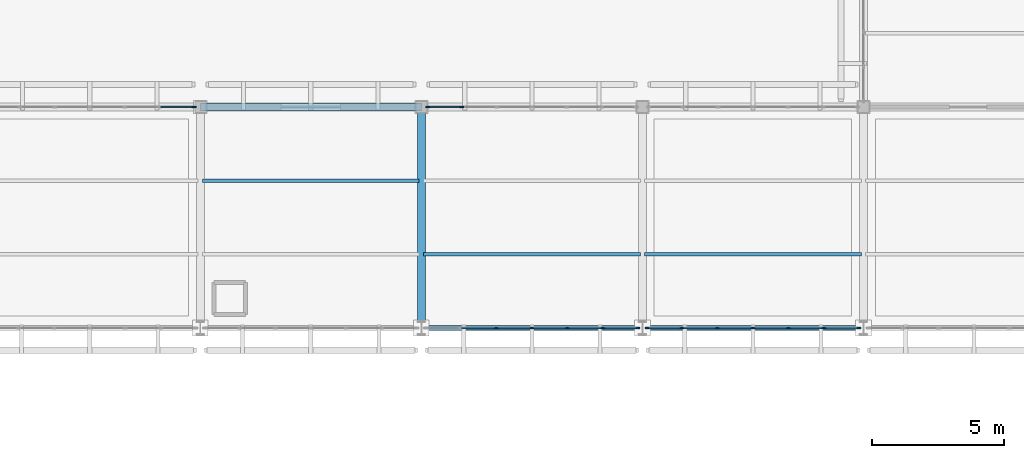
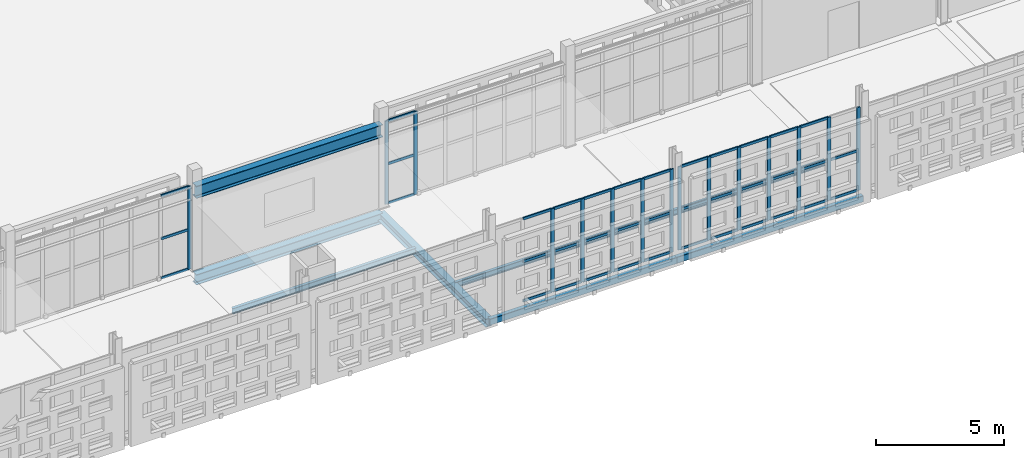
# One storey, part 56 of 203: 53 members, 8 beams, 4 elements without a shape of their own.
"""IFC4 building model written with IfcOpenShell, lengths in metres."""

from ifc_helpers import new_model, si_unit, direction, frame, origin, origin_2d, place, context, subcontext, project, spatial, rectangle, hollow_rectangle, i_section, extrude, material, layer, layer_set, material_profile, profile_set, type_object, element, aggregate, save


model = new_model("IFC4")

# Units and contexts
model_context = context("Model", 3, precision=1e-05, world=origin(), true_north=direction((0.0, 1.0)))
body_context = subcontext(model_context, "Body", "Model", "MODEL_VIEW")
ifc_project = project(units=[si_unit("LENGTHUNIT", "METRE"), si_unit("AREAUNIT", "SQUARE_METRE"), si_unit("VOLUMEUNIT", "CUBIC_METRE"), si_unit("PLANEANGLEUNIT", "RADIAN"), si_unit("MASSUNIT", "GRAM", prefix="KILO")], contexts=[model_context])

# Site, building, storey
site_placement = place(None, origin())
site = spatial("IfcSite", under=ifc_project, at=site_placement, CompositionType="ELEMENT")
building_placement = place(site_placement, origin())
building = spatial("IfcBuilding", under=site, at=building_placement, Name="Varnapada Polytechnic", CompositionType="ELEMENT")
storey_placement = place(building_placement, frame((0.0, 0.0, 4.800048828125)))
storey = spatial("IfcBuildingStorey", under=building, at=storey_placement, Name="L01", CompositionType="ELEMENT", Elevation=4.800048828125)

# Beams
ifc_material_1 = material(Name="Steel S355", Category="steel")
ifc_material_profile_1 = material_profile(ifc_material_1, i_section(OverallWidth=0.135009765625, OverallDepth=0.27001953125, WebThickness=0.006591796875, FlangeThickness=0.01025390625, FilletRadius=0.014892578125, at=origin_2d()), Name="IPE 270")
ifc_profile_set_1 = profile_set([ifc_material_profile_1], Name="Steel S355")
beam_type_1 = type_object("IfcBeamType", Name="Mezzanine heavy steel joist SJ-03 (IPE 270)", PredefinedType="JOIST", material=ifc_profile_set_1)
beam_1_placement = place(storey_placement, frame((100.8798828125, 89.60009765625, -0.39501953125), z_axis=(1.0, 0.0, 0.0), x_axis=(0.0, 1.0, 0.0)))
element("IfcBeam", 1, at=beam_1_placement, inside=storey, type_object=beam_type_1, Name="L01 floor joist 13/11.2", PredefinedType="JOIST", context=body_context, shape_type="SweptSolid", body=[
    extrude(i_section(OverallWidth=0.135009765625, OverallDepth=0.27001953125, WebThickness=0.006591796875, FlangeThickness=0.01025390625, FilletRadius=0.014892578125, at=origin_2d()), origin(), (0.0, 0.0, 1.0), 8.240234375),
])
for number, where, z_axis, x_axis, name in (
    (2, (109.280029296875, 86.800048828125, -0.39501953125), (1.0, 0.0, 0.0), (0.0, 1.0, 0.0), "L01 floor joist 14/11.1"),
    (3, (117.679931640625, 86.800048828125, -0.39501953125), (1.0, 0.0, 0.0), (0.0, 1.0, 0.0), "L01 floor joist 15/11.1"),
):
    element("IfcBeam", number, at=place(storey_placement, frame(where, z_axis=z_axis, x_axis=x_axis)), inside=storey, type_object=beam_type_1, Name=name, PredefinedType="JOIST", context=body_context, shape_type="SweptSolid", body=[
        extrude(i_section(OverallWidth=0.135009765625, OverallDepth=0.27001953125, WebThickness=0.006591796875, FlangeThickness=0.01025390625, FilletRadius=0.014892578125, at=origin_2d()), origin(), (0.0, 0.0, 1.0), 8.239990234375),
    ])

# Curtain wall, member
ifc_material_2 = material(Name="Double low-E laminated glass", Category="glass")
ifc_layer_1 = layer(ifc_material_2, 0.159912109375)
ifc_layer_set_1 = layer_set([ifc_layer_1], Name="Double low-E laminated glass")
curtain_wall_type_1 = type_object("IfcCurtainWallType", Name="Curtain Wall CW-02", PredefinedType="NOTDEFINED", material=ifc_layer_set_1)
curtain_wall_1_placement = place(storey_placement, origin())
curtain_wall_1 = element("IfcCurtainWall", 4, at=curtain_wall_1_placement, inside=storey, type_object=curtain_wall_type_1, Name="L01 unitised curtain wall CW-02 (77)", PredefinedType="NOTDEFINED")
ifc_material_3 = material(Name="Anodised aluminium", Category="aluminium")
ifc_material_profile_2 = material_profile(ifc_material_3, rectangle(XDim=0.06005859375, YDim=0.159912109375, at=origin_2d()), Name="ALU M60x160")
ifc_profile_set_2 = profile_set([ifc_material_profile_2], Name="Anodised aluminium")
member_type_1 = type_object("IfcMemberType", Name="Mullion M-01", PredefinedType="MULLION", material=ifc_profile_set_2)
member_1_placement = place(storey_placement, frame((100.56005859375, 92.39990234375, 0.0), z_axis=(0.0, 0.0, 1.0), x_axis=(0.0, 1.0, 0.0)))
member_1 = element("IfcMember", 5, at=member_1_placement, type_object=member_type_1, Name="CW-02 mullion 7", PredefinedType="MULLION", context=body_context, shape_type="SweptSolid", body=[
    extrude(rectangle(XDim=0.06005859375, YDim=0.159912109375, at=origin_2d()), origin(), (0.0, 0.0, 1.0), 3.9599609375),
])

# Curtain wall, members
ifc_layer_2 = layer(ifc_material_2, 0.159912109375)
ifc_layer_set_2 = layer_set([ifc_layer_2], Name="Double low-E laminated glass")
curtain_wall_type_2 = type_object("IfcCurtainWallType", Name="Curtain Wall CW-01", PredefinedType="NOTDEFINED", material=ifc_layer_set_2)
curtain_wall_2_placement = place(storey_placement, origin())
curtain_wall_2 = element("IfcCurtainWall", 6, at=curtain_wall_2_placement, inside=storey, type_object=curtain_wall_type_2, Name="L01 unitised curtain wall CW-01 (85)", PredefinedType="NOTDEFINED")
member_2_placement = place(storey_placement, frame((117.419921875, 84.0, 0.0), z_axis=(0.0, 0.0, 1.0), x_axis=(0.0, -1.0, 0.0)))
member_2 = element("IfcMember", 7, at=member_2_placement, type_object=member_type_1, Name="CW-01 mullion 1", PredefinedType="MULLION", context=body_context, shape_type="SweptSolid", body=[
    extrude(rectangle(XDim=0.06005859375, YDim=0.159912109375, at=origin_2d()), origin(), (0.0, 0.0, 1.0), 3.9599609375),
])
member_3_placement = place(storey_placement, frame((116.10009765625, 84.0, 0.0), z_axis=(0.0, 0.0, 1.0), x_axis=(0.0, -1.0, 0.0)))
member_3 = element("IfcMember", 8, at=member_3_placement, type_object=member_type_1, Name="CW-01 mullion 2", PredefinedType="MULLION", context=body_context, shape_type="SweptSolid", body=[
    extrude(rectangle(XDim=0.06005859375, YDim=0.159912109375, at=origin_2d()), origin(), (0.0, 0.0, 1.0), 3.9599609375),
])
member_4_placement = place(storey_placement, frame((114.75, 84.0, 0.0), z_axis=(0.0, 0.0, 1.0), x_axis=(0.0, -1.0, 0.0)))
member_4 = element("IfcMember", 9, at=member_4_placement, type_object=member_type_1, Name="CW-01 mullion 3", PredefinedType="MULLION", context=body_context, shape_type="SweptSolid", body=[
    extrude(rectangle(XDim=0.06005859375, YDim=0.159912109375, at=origin_2d()), origin(), (0.0, 0.0, 1.0), 3.9599609375),
])
member_5_placement = place(storey_placement, frame((113.39990234375, 84.0, 0.0), z_axis=(0.0, 0.0, 1.0), x_axis=(0.0, -1.0, 0.0)))
member_5 = element("IfcMember", 10, at=member_5_placement, type_object=member_type_1, Name="CW-01 mullion 4", PredefinedType="MULLION", context=body_context, shape_type="SweptSolid", body=[
    extrude(rectangle(XDim=0.06005859375, YDim=0.159912109375, at=origin_2d()), origin(), (0.0, 0.0, 1.0), 3.9599609375),
])
member_6_placement = place(storey_placement, frame((112.050048828125, 84.0, 0.0), z_axis=(0.0, 0.0, 1.0), x_axis=(0.0, -1.0, 0.0)))
member_6 = element("IfcMember", 11, at=member_6_placement, type_object=member_type_1, Name="CW-01 mullion 5", PredefinedType="MULLION", context=body_context, shape_type="SweptSolid", body=[
    extrude(rectangle(XDim=0.06005859375, YDim=0.159912109375, at=origin_2d()), origin(), (0.0, 0.0, 1.0), 3.9599609375),
])

curtain_wall_3_placement = place(storey_placement, origin())
curtain_wall_3 = element("IfcCurtainWall", 12, at=curtain_wall_3_placement, inside=storey, type_object=curtain_wall_type_1, Name="L01 unitised curtain wall CW-02 (86)", PredefinedType="NOTDEFINED")
member_7_placement = place(storey_placement, frame((109.43994140625, 92.39990234375, 0.0), z_axis=(0.0, 0.0, 1.0), x_axis=(0.0, 1.0, 0.0)))
member_7 = element("IfcMember", 13, at=member_7_placement, type_object=member_type_1, Name="CW-02 mullion 1", PredefinedType="MULLION", context=body_context, shape_type="SweptSolid", body=[
    extrude(rectangle(XDim=0.06005859375, YDim=0.159912109375, at=origin_2d()), origin(), (0.0, 0.0, 1.0), 3.9599609375),
])
member_8_placement = place(storey_placement, frame((110.739990234375, 92.39990234375, 0.0), z_axis=(0.0, 0.0, 1.0), x_axis=(0.0, 1.0, 0.0)))
member_8 = element("IfcMember", 14, at=member_8_placement, type_object=member_type_1, Name="CW-02 mullion 2", PredefinedType="MULLION", context=body_context, shape_type="SweptSolid", body=[
    extrude(rectangle(XDim=0.06005859375, YDim=0.159912109375, at=origin_2d()), origin(), (0.0, 0.0, 1.0), 3.9599609375),
])

curtain_wall_4_placement = place(storey_placement, origin())
curtain_wall_4 = element("IfcCurtainWall", 15, at=curtain_wall_4_placement, inside=storey, type_object=curtain_wall_type_2, Name="L01 unitised curtain wall CW-01 (90)", PredefinedType="NOTDEFINED")
member_9_placement = place(storey_placement, frame((125.820068359375, 84.0, 0.0), z_axis=(0.0, 0.0, 1.0), x_axis=(0.0, -1.0, 0.0)))
member_9 = element("IfcMember", 16, at=member_9_placement, type_object=member_type_1, Name="CW-01 mullion 1", PredefinedType="MULLION", context=body_context, shape_type="SweptSolid", body=[
    extrude(rectangle(XDim=0.06005859375, YDim=0.159912109375, at=origin_2d()), origin(), (0.0, 0.0, 1.0), 3.9599609375),
])
member_10_placement = place(storey_placement, frame((124.5, 84.0, 0.0), z_axis=(0.0, 0.0, 1.0), x_axis=(0.0, -1.0, 0.0)))
member_10 = element("IfcMember", 17, at=member_10_placement, type_object=member_type_1, Name="CW-01 mullion 2", PredefinedType="MULLION", context=body_context, shape_type="SweptSolid", body=[
    extrude(rectangle(XDim=0.06005859375, YDim=0.159912109375, at=origin_2d()), origin(), (0.0, 0.0, 1.0), 3.9599609375),
])
member_11_placement = place(storey_placement, frame((123.14990234375, 84.0, 0.0), z_axis=(0.0, 0.0, 1.0), x_axis=(0.0, -1.0, 0.0)))
member_11 = element("IfcMember", 18, at=member_11_placement, type_object=member_type_1, Name="CW-01 mullion 3", PredefinedType="MULLION", context=body_context, shape_type="SweptSolid", body=[
    extrude(rectangle(XDim=0.06005859375, YDim=0.159912109375, at=origin_2d()), origin(), (0.0, 0.0, 1.0), 3.9599609375),
])
member_12_placement = place(storey_placement, frame((121.800048828125, 84.0, 0.0), z_axis=(0.0, 0.0, 1.0), x_axis=(0.0, -1.0, 0.0)))
member_12 = element("IfcMember", 19, at=member_12_placement, type_object=member_type_1, Name="CW-01 mullion 4", PredefinedType="MULLION", context=body_context, shape_type="SweptSolid", body=[
    extrude(rectangle(XDim=0.06005859375, YDim=0.159912109375, at=origin_2d()), origin(), (0.0, 0.0, 1.0), 3.9599609375),
])
member_13_placement = place(storey_placement, frame((120.449951171875, 84.0, 0.0), z_axis=(0.0, 0.0, 1.0), x_axis=(0.0, -1.0, 0.0)))
member_13 = element("IfcMember", 20, at=member_13_placement, type_object=member_type_1, Name="CW-01 mullion 5", PredefinedType="MULLION", context=body_context, shape_type="SweptSolid", body=[
    extrude(rectangle(XDim=0.06005859375, YDim=0.159912109375, at=origin_2d()), origin(), (0.0, 0.0, 1.0), 3.9599609375),
])
member_14_placement = place(storey_placement, frame((119.10009765625, 84.0, 0.0), z_axis=(0.0, 0.0, 1.0), x_axis=(0.0, -1.0, 0.0)))
member_14 = element("IfcMember", 21, at=member_14_placement, type_object=member_type_1, Name="CW-01 mullion 6", PredefinedType="MULLION", context=body_context, shape_type="SweptSolid", body=[
    extrude(rectangle(XDim=0.06005859375, YDim=0.159912109375, at=origin_2d()), origin(), (0.0, 0.0, 1.0), 3.9599609375),
])
member_15_placement = place(storey_placement, frame((117.780029296875, 84.0, 0.0), z_axis=(0.0, 0.0, 1.0), x_axis=(0.0, -1.0, 0.0)))
member_15 = element("IfcMember", 22, at=member_15_placement, type_object=member_type_1, Name="CW-01 mullion 7", PredefinedType="MULLION", context=body_context, shape_type="SweptSolid", body=[
    extrude(rectangle(XDim=0.06005859375, YDim=0.159912109375, at=origin_2d()), origin(), (0.0, 0.0, 1.0), 3.9599609375),
])

# Beam
ifc_material_profile_3 = material_profile(ifc_material_1, i_section(OverallWidth=0.300048828125, OverallDepth=0.389892578125, WebThickness=0.010986328125, FlangeThickness=0.01904296875, FilletRadius=0.027099609375, at=origin_2d()), Name="HEA 400")
ifc_profile_set_3 = profile_set([ifc_material_profile_3], Name="Steel S355")
beam_type_2 = type_object("IfcBeamType", Name="Steel roof primary girder SG-01 (HEA 400)", PredefinedType="BEAM", material=ifc_profile_set_3)
beam_2_placement = place(storey_placement, frame((109.199951171875, 84.0, -0.465087890625), z_axis=(0.0, 1.0, 0.0), x_axis=(-1.0, 0.0, 0.0)))
element("IfcBeam", 23, at=beam_2_placement, inside=storey, type_object=beam_type_2, Name="L01 beam Y 11-12 at X14", PredefinedType="BEAM", context=body_context, shape_type="SweptSolid", body=[
    extrude(i_section(OverallWidth=0.300048828125, OverallDepth=0.389892578125, WebThickness=0.010986328125, FlangeThickness=0.01904296875, FilletRadius=0.027099609375, at=origin_2d()), origin(), (0.0, 0.0, 1.0), 8.39990234375),
])

# Member
ifc_material_profile_4 = material_profile(ifc_material_3, rectangle(XDim=0.06005859375, YDim=0.1201171875, at=origin_2d()), Name="ALU T60x120")
ifc_profile_set_4 = profile_set([ifc_material_profile_4], Name="Anodised aluminium")
member_type_2 = type_object("IfcMemberType", Name="Transom T-01", PredefinedType="USERDEFINED", material=ifc_profile_set_4)
member_16_placement = place(storey_placement, frame((99.2900390625, 92.39990234375, 0.030029296875), z_axis=(1.0, 0.0, 0.0), x_axis=(0.0, 1.0, 0.0)))
member_16 = element("IfcMember", 24, at=member_16_placement, type_object=member_type_2, Name="CW-02 transom 6.1", ObjectType="TRANSOM", PredefinedType="USERDEFINED", context=body_context, shape_type="SweptSolid", body=[
    extrude(rectangle(XDim=0.06005859375, YDim=0.1201171875, at=origin_2d()), origin(), (0.0, 0.0, 1.0), 1.239990234375),
])

member_17_placement = place(storey_placement, frame((99.2900390625, 92.39990234375, 1.900634765625), z_axis=(1.0, 0.0, 0.0), x_axis=(0.0, 1.0, 0.0)))
member_17 = element("IfcMember", 25, at=member_17_placement, type_object=member_type_2, Name="CW-02 transom 6.2", ObjectType="TRANSOM", PredefinedType="USERDEFINED", context=body_context, shape_type="SweptSolid", body=[
    extrude(rectangle(XDim=0.06005859375, YDim=0.1201171875, at=origin_2d()), origin(), (0.0, 0.0, 1.0), 1.239990234375),
])

member_18_placement = place(storey_placement, frame((99.2900390625, 92.39990234375, 3.929931640625), z_axis=(1.0, 0.0, 0.0), x_axis=(0.0, 1.0, 0.0)))
member_18 = element("IfcMember", 26, at=member_18_placement, type_object=member_type_2, Name="CW-02 transom 6.3", ObjectType="TRANSOM", PredefinedType="USERDEFINED", context=body_context, shape_type="SweptSolid", body=[
    extrude(rectangle(XDim=0.06005859375, YDim=0.1201171875, at=origin_2d()), origin(), (0.0, 0.0, 1.0), 1.239990234375),
])

aggregate(curtain_wall_1, [member_1, member_16, member_17, member_18])

member_19_placement = place(storey_placement, frame((117.389892578125, 84.0, 0.030029296875), z_axis=(-1.0, 0.0, 0.0), x_axis=(0.0, -1.0, 0.0)))
member_19 = element("IfcMember", 27, at=member_19_placement, type_object=member_type_2, Name="CW-01 transom 1.1", ObjectType="TRANSOM", PredefinedType="USERDEFINED", context=body_context, shape_type="SweptSolid", body=[
    extrude(rectangle(XDim=0.06005859375, YDim=0.1201171875, at=origin_2d()), origin(), (0.0, 0.0, 1.0), 1.260009765625),
])

member_20_placement = place(storey_placement, frame((117.389892578125, 84.0, 1.900634765625), z_axis=(-1.0, 0.0, 0.0), x_axis=(0.0, -1.0, 0.0)))
member_20 = element("IfcMember", 28, at=member_20_placement, type_object=member_type_2, Name="CW-01 transom 1.2", ObjectType="TRANSOM", PredefinedType="USERDEFINED", context=body_context, shape_type="SweptSolid", body=[
    extrude(rectangle(XDim=0.06005859375, YDim=0.1201171875, at=origin_2d()), origin(), (0.0, 0.0, 1.0), 1.260009765625),
])

member_21_placement = place(storey_placement, frame((117.389892578125, 84.0, 3.929931640625), z_axis=(-1.0, 0.0, 0.0), x_axis=(0.0, -1.0, 0.0)))
member_21 = element("IfcMember", 29, at=member_21_placement, type_object=member_type_2, Name="CW-01 transom 1.3", ObjectType="TRANSOM", PredefinedType="USERDEFINED", context=body_context, shape_type="SweptSolid", body=[
    extrude(rectangle(XDim=0.06005859375, YDim=0.1201171875, at=origin_2d()), origin(), (0.0, 0.0, 1.0), 1.260009765625),
])

member_22_placement = place(storey_placement, frame((116.070068359375, 84.0, 0.030029296875), z_axis=(-1.0, 0.0, 0.0), x_axis=(0.0, -1.0, 0.0)))
member_22 = element("IfcMember", 30, at=member_22_placement, type_object=member_type_2, Name="CW-01 transom 2.1", ObjectType="TRANSOM", PredefinedType="USERDEFINED", context=body_context, shape_type="SweptSolid", body=[
    extrude(rectangle(XDim=0.06005859375, YDim=0.1201171875, at=origin_2d()), origin(), (0.0, 0.0, 1.0), 1.2900390625),
])

member_23_placement = place(storey_placement, frame((116.070068359375, 84.0, 1.900634765625), z_axis=(-1.0, 0.0, 0.0), x_axis=(0.0, -1.0, 0.0)))
member_23 = element("IfcMember", 31, at=member_23_placement, type_object=member_type_2, Name="CW-01 transom 2.2", ObjectType="TRANSOM", PredefinedType="USERDEFINED", context=body_context, shape_type="SweptSolid", body=[
    extrude(rectangle(XDim=0.06005859375, YDim=0.1201171875, at=origin_2d()), origin(), (0.0, 0.0, 1.0), 1.2900390625),
])

member_24_placement = place(storey_placement, frame((116.070068359375, 84.0, 3.929931640625), z_axis=(-1.0, 0.0, 0.0), x_axis=(0.0, -1.0, 0.0)))
member_24 = element("IfcMember", 32, at=member_24_placement, type_object=member_type_2, Name="CW-01 transom 2.3", ObjectType="TRANSOM", PredefinedType="USERDEFINED", context=body_context, shape_type="SweptSolid", body=[
    extrude(rectangle(XDim=0.06005859375, YDim=0.1201171875, at=origin_2d()), origin(), (0.0, 0.0, 1.0), 1.2900390625),
])

member_25_placement = place(storey_placement, frame((114.719970703125, 84.0, 0.030029296875), z_axis=(-1.0, 0.0, 0.0), x_axis=(0.0, -1.0, 0.0)))
member_25 = element("IfcMember", 33, at=member_25_placement, type_object=member_type_2, Name="CW-01 transom 3.1", ObjectType="TRANSOM", PredefinedType="USERDEFINED", context=body_context, shape_type="SweptSolid", body=[
    extrude(rectangle(XDim=0.06005859375, YDim=0.1201171875, at=origin_2d()), origin(), (0.0, 0.0, 1.0), 1.2900390625),
])

member_26_placement = place(storey_placement, frame((114.719970703125, 84.0, 1.900634765625), z_axis=(-1.0, 0.0, 0.0), x_axis=(0.0, -1.0, 0.0)))
member_26 = element("IfcMember", 34, at=member_26_placement, type_object=member_type_2, Name="CW-01 transom 3.2", ObjectType="TRANSOM", PredefinedType="USERDEFINED", context=body_context, shape_type="SweptSolid", body=[
    extrude(rectangle(XDim=0.06005859375, YDim=0.1201171875, at=origin_2d()), origin(), (0.0, 0.0, 1.0), 1.2900390625),
])

member_27_placement = place(storey_placement, frame((114.719970703125, 84.0, 3.929931640625), z_axis=(-1.0, 0.0, 0.0), x_axis=(0.0, -1.0, 0.0)))
member_27 = element("IfcMember", 35, at=member_27_placement, type_object=member_type_2, Name="CW-01 transom 3.3", ObjectType="TRANSOM", PredefinedType="USERDEFINED", context=body_context, shape_type="SweptSolid", body=[
    extrude(rectangle(XDim=0.06005859375, YDim=0.1201171875, at=origin_2d()), origin(), (0.0, 0.0, 1.0), 1.2900390625),
])

member_28_placement = place(storey_placement, frame((113.3701171875, 84.0, 0.030029296875), z_axis=(-1.0, 0.0, 0.0), x_axis=(0.0, -1.0, 0.0)))
member_28 = element("IfcMember", 36, at=member_28_placement, type_object=member_type_2, Name="CW-01 transom 4.1", ObjectType="TRANSOM", PredefinedType="USERDEFINED", context=body_context, shape_type="SweptSolid", body=[
    extrude(rectangle(XDim=0.06005859375, YDim=0.1201171875, at=origin_2d()), origin(), (0.0, 0.0, 1.0), 1.2900390625),
])

member_29_placement = place(storey_placement, frame((113.3701171875, 84.0, 1.900634765625), z_axis=(-1.0, 0.0, 0.0), x_axis=(0.0, -1.0, 0.0)))
member_29 = element("IfcMember", 37, at=member_29_placement, type_object=member_type_2, Name="CW-01 transom 4.2", ObjectType="TRANSOM", PredefinedType="USERDEFINED", context=body_context, shape_type="SweptSolid", body=[
    extrude(rectangle(XDim=0.06005859375, YDim=0.1201171875, at=origin_2d()), origin(), (0.0, 0.0, 1.0), 1.2900390625),
])

member_30_placement = place(storey_placement, frame((113.3701171875, 84.0, 3.929931640625), z_axis=(-1.0, 0.0, 0.0), x_axis=(0.0, -1.0, 0.0)))
member_30 = element("IfcMember", 38, at=member_30_placement, type_object=member_type_2, Name="CW-01 transom 4.3", ObjectType="TRANSOM", PredefinedType="USERDEFINED", context=body_context, shape_type="SweptSolid", body=[
    extrude(rectangle(XDim=0.06005859375, YDim=0.1201171875, at=origin_2d()), origin(), (0.0, 0.0, 1.0), 1.2900390625),
])

member_31_placement = place(storey_placement, frame((112.02001953125, 84.0, 0.030029296875), z_axis=(-1.0, 0.0, 0.0), x_axis=(0.0, -1.0, 0.0)))
member_31 = element("IfcMember", 39, at=member_31_placement, type_object=member_type_2, Name="CW-01 transom 5.1", ObjectType="TRANSOM", PredefinedType="USERDEFINED", context=body_context, shape_type="SweptSolid", body=[
    extrude(rectangle(XDim=0.06005859375, YDim=0.1201171875, at=origin_2d()), origin(), (0.0, 0.0, 1.0), 1.2900390625),
])

member_32_placement = place(storey_placement, frame((112.02001953125, 84.0, 1.900634765625), z_axis=(-1.0, 0.0, 0.0), x_axis=(0.0, -1.0, 0.0)))
member_32 = element("IfcMember", 40, at=member_32_placement, type_object=member_type_2, Name="CW-01 transom 5.2", ObjectType="TRANSOM", PredefinedType="USERDEFINED", context=body_context, shape_type="SweptSolid", body=[
    extrude(rectangle(XDim=0.06005859375, YDim=0.1201171875, at=origin_2d()), origin(), (0.0, 0.0, 1.0), 1.2900390625),
])

member_33_placement = place(storey_placement, frame((112.02001953125, 84.0, 3.929931640625), z_axis=(-1.0, 0.0, 0.0), x_axis=(0.0, -1.0, 0.0)))
member_33 = element("IfcMember", 41, at=member_33_placement, type_object=member_type_2, Name="CW-01 transom 5.3", ObjectType="TRANSOM", PredefinedType="USERDEFINED", context=body_context, shape_type="SweptSolid", body=[
    extrude(rectangle(XDim=0.06005859375, YDim=0.1201171875, at=origin_2d()), origin(), (0.0, 0.0, 1.0), 1.2900390625),
])

aggregate(curtain_wall_2, [member_2, member_3, member_4, member_5, member_6, member_19, member_20, member_21, member_22, member_23, member_24, member_25, member_26, member_27, member_28, member_29, member_30, member_31, member_32, member_33])

member_34_placement = place(storey_placement, frame((109.469970703125, 92.39990234375, 0.030029296875), z_axis=(1.0, 0.0, 0.0), x_axis=(0.0, 1.0, 0.0)))
member_34 = element("IfcMember", 42, at=member_34_placement, type_object=member_type_2, Name="CW-02 transom 1.1", ObjectType="TRANSOM", PredefinedType="USERDEFINED", context=body_context, shape_type="SweptSolid", body=[
    extrude(rectangle(XDim=0.06005859375, YDim=0.1201171875, at=origin_2d()), origin(), (0.0, 0.0, 1.0), 1.239990234375),
])

member_35_placement = place(storey_placement, frame((109.469970703125, 92.39990234375, 1.900634765625), z_axis=(1.0, 0.0, 0.0), x_axis=(0.0, 1.0, 0.0)))
member_35 = element("IfcMember", 43, at=member_35_placement, type_object=member_type_2, Name="CW-02 transom 1.2", ObjectType="TRANSOM", PredefinedType="USERDEFINED", context=body_context, shape_type="SweptSolid", body=[
    extrude(rectangle(XDim=0.06005859375, YDim=0.1201171875, at=origin_2d()), origin(), (0.0, 0.0, 1.0), 1.239990234375),
])

member_36_placement = place(storey_placement, frame((109.469970703125, 92.39990234375, 3.929931640625), z_axis=(1.0, 0.0, 0.0), x_axis=(0.0, 1.0, 0.0)))
member_36 = element("IfcMember", 44, at=member_36_placement, type_object=member_type_2, Name="CW-02 transom 1.3", ObjectType="TRANSOM", PredefinedType="USERDEFINED", context=body_context, shape_type="SweptSolid", body=[
    extrude(rectangle(XDim=0.06005859375, YDim=0.1201171875, at=origin_2d()), origin(), (0.0, 0.0, 1.0), 1.239990234375),
])

aggregate(curtain_wall_3, [member_7, member_8, member_34, member_35, member_36])

member_37_placement = place(storey_placement, frame((125.7900390625, 84.0, 0.030029296875), z_axis=(-1.0, 0.0, 0.0), x_axis=(0.0, -1.0, 0.0)))
member_37 = element("IfcMember", 45, at=member_37_placement, type_object=member_type_2, Name="CW-01 transom 1.1", ObjectType="TRANSOM", PredefinedType="USERDEFINED", context=body_context, shape_type="SweptSolid", body=[
    extrude(rectangle(XDim=0.06005859375, YDim=0.1201171875, at=origin_2d()), origin(), (0.0, 0.0, 1.0), 1.260009765625),
])

member_38_placement = place(storey_placement, frame((125.7900390625, 84.0, 1.900634765625), z_axis=(-1.0, 0.0, 0.0), x_axis=(0.0, -1.0, 0.0)))
member_38 = element("IfcMember", 46, at=member_38_placement, type_object=member_type_2, Name="CW-01 transom 1.2", ObjectType="TRANSOM", PredefinedType="USERDEFINED", context=body_context, shape_type="SweptSolid", body=[
    extrude(rectangle(XDim=0.06005859375, YDim=0.1201171875, at=origin_2d()), origin(), (0.0, 0.0, 1.0), 1.260009765625),
])

member_39_placement = place(storey_placement, frame((124.469970703125, 84.0, 0.030029296875), z_axis=(-1.0, 0.0, 0.0), x_axis=(0.0, -1.0, 0.0)))
member_39 = element("IfcMember", 47, at=member_39_placement, type_object=member_type_2, Name="CW-01 transom 2.1", ObjectType="TRANSOM", PredefinedType="USERDEFINED", context=body_context, shape_type="SweptSolid", body=[
    extrude(rectangle(XDim=0.06005859375, YDim=0.1201171875, at=origin_2d()), origin(), (0.0, 0.0, 1.0), 1.2900390625),
])

member_40_placement = place(storey_placement, frame((124.469970703125, 84.0, 1.900634765625), z_axis=(-1.0, 0.0, 0.0), x_axis=(0.0, -1.0, 0.0)))
member_40 = element("IfcMember", 48, at=member_40_placement, type_object=member_type_2, Name="CW-01 transom 2.2", ObjectType="TRANSOM", PredefinedType="USERDEFINED", context=body_context, shape_type="SweptSolid", body=[
    extrude(rectangle(XDim=0.06005859375, YDim=0.1201171875, at=origin_2d()), origin(), (0.0, 0.0, 1.0), 1.2900390625),
])

member_41_placement = place(storey_placement, frame((124.469970703125, 84.0, 3.929931640625), z_axis=(-1.0, 0.0, 0.0), x_axis=(0.0, -1.0, 0.0)))
member_41 = element("IfcMember", 49, at=member_41_placement, type_object=member_type_2, Name="CW-01 transom 2.3", ObjectType="TRANSOM", PredefinedType="USERDEFINED", context=body_context, shape_type="SweptSolid", body=[
    extrude(rectangle(XDim=0.06005859375, YDim=0.1201171875, at=origin_2d()), origin(), (0.0, 0.0, 1.0), 1.2900390625),
])

member_42_placement = place(storey_placement, frame((123.1201171875, 84.0, 0.030029296875), z_axis=(-1.0, 0.0, 0.0), x_axis=(0.0, -1.0, 0.0)))
member_42 = element("IfcMember", 50, at=member_42_placement, type_object=member_type_2, Name="CW-01 transom 3.1", ObjectType="TRANSOM", PredefinedType="USERDEFINED", context=body_context, shape_type="SweptSolid", body=[
    extrude(rectangle(XDim=0.06005859375, YDim=0.1201171875, at=origin_2d()), origin(), (0.0, 0.0, 1.0), 1.2900390625),
])

member_43_placement = place(storey_placement, frame((123.1201171875, 84.0, 1.900634765625), z_axis=(-1.0, 0.0, 0.0), x_axis=(0.0, -1.0, 0.0)))
member_43 = element("IfcMember", 51, at=member_43_placement, type_object=member_type_2, Name="CW-01 transom 3.2", ObjectType="TRANSOM", PredefinedType="USERDEFINED", context=body_context, shape_type="SweptSolid", body=[
    extrude(rectangle(XDim=0.06005859375, YDim=0.1201171875, at=origin_2d()), origin(), (0.0, 0.0, 1.0), 1.2900390625),
])

member_44_placement = place(storey_placement, frame((123.1201171875, 84.0, 3.929931640625), z_axis=(-1.0, 0.0, 0.0), x_axis=(0.0, -1.0, 0.0)))
member_44 = element("IfcMember", 52, at=member_44_placement, type_object=member_type_2, Name="CW-01 transom 3.3", ObjectType="TRANSOM", PredefinedType="USERDEFINED", context=body_context, shape_type="SweptSolid", body=[
    extrude(rectangle(XDim=0.06005859375, YDim=0.1201171875, at=origin_2d()), origin(), (0.0, 0.0, 1.0), 1.2900390625),
])

member_45_placement = place(storey_placement, frame((121.77001953125, 84.0, 0.030029296875), z_axis=(-1.0, 0.0, 0.0), x_axis=(0.0, -1.0, 0.0)))
member_45 = element("IfcMember", 53, at=member_45_placement, type_object=member_type_2, Name="CW-01 transom 4.1", ObjectType="TRANSOM", PredefinedType="USERDEFINED", context=body_context, shape_type="SweptSolid", body=[
    extrude(rectangle(XDim=0.06005859375, YDim=0.1201171875, at=origin_2d()), origin(), (0.0, 0.0, 1.0), 1.2900390625),
])

member_46_placement = place(storey_placement, frame((121.77001953125, 84.0, 1.900634765625), z_axis=(-1.0, 0.0, 0.0), x_axis=(0.0, -1.0, 0.0)))
member_46 = element("IfcMember", 54, at=member_46_placement, type_object=member_type_2, Name="CW-01 transom 4.2", ObjectType="TRANSOM", PredefinedType="USERDEFINED", context=body_context, shape_type="SweptSolid", body=[
    extrude(rectangle(XDim=0.06005859375, YDim=0.1201171875, at=origin_2d()), origin(), (0.0, 0.0, 1.0), 1.2900390625),
])

member_47_placement = place(storey_placement, frame((121.77001953125, 84.0, 3.929931640625), z_axis=(-1.0, 0.0, 0.0), x_axis=(0.0, -1.0, 0.0)))
member_47 = element("IfcMember", 55, at=member_47_placement, type_object=member_type_2, Name="CW-01 transom 4.3", ObjectType="TRANSOM", PredefinedType="USERDEFINED", context=body_context, shape_type="SweptSolid", body=[
    extrude(rectangle(XDim=0.06005859375, YDim=0.1201171875, at=origin_2d()), origin(), (0.0, 0.0, 1.0), 1.2900390625),
])

member_48_placement = place(storey_placement, frame((120.419921875, 84.0, 0.030029296875), z_axis=(-1.0, 0.0, 0.0), x_axis=(0.0, -1.0, 0.0)))
member_48 = element("IfcMember", 56, at=member_48_placement, type_object=member_type_2, Name="CW-01 transom 5.1", ObjectType="TRANSOM", PredefinedType="USERDEFINED", context=body_context, shape_type="SweptSolid", body=[
    extrude(rectangle(XDim=0.06005859375, YDim=0.1201171875, at=origin_2d()), origin(), (0.0, 0.0, 1.0), 1.2900390625),
])

member_49_placement = place(storey_placement, frame((120.419921875, 84.0, 1.900634765625), z_axis=(-1.0, 0.0, 0.0), x_axis=(0.0, -1.0, 0.0)))
member_49 = element("IfcMember", 57, at=member_49_placement, type_object=member_type_2, Name="CW-01 transom 5.2", ObjectType="TRANSOM", PredefinedType="USERDEFINED", context=body_context, shape_type="SweptSolid", body=[
    extrude(rectangle(XDim=0.06005859375, YDim=0.1201171875, at=origin_2d()), origin(), (0.0, 0.0, 1.0), 1.2900390625),
])

member_50_placement = place(storey_placement, frame((120.419921875, 84.0, 3.929931640625), z_axis=(-1.0, 0.0, 0.0), x_axis=(0.0, -1.0, 0.0)))
member_50 = element("IfcMember", 58, at=member_50_placement, type_object=member_type_2, Name="CW-01 transom 5.3", ObjectType="TRANSOM", PredefinedType="USERDEFINED", context=body_context, shape_type="SweptSolid", body=[
    extrude(rectangle(XDim=0.06005859375, YDim=0.1201171875, at=origin_2d()), origin(), (0.0, 0.0, 1.0), 1.2900390625),
])

member_51_placement = place(storey_placement, frame((119.070068359375, 84.0, 0.030029296875), z_axis=(-1.0, 0.0, 0.0), x_axis=(0.0, -1.0, 0.0)))
member_51 = element("IfcMember", 59, at=member_51_placement, type_object=member_type_2, Name="CW-01 transom 6.1", ObjectType="TRANSOM", PredefinedType="USERDEFINED", context=body_context, shape_type="SweptSolid", body=[
    extrude(rectangle(XDim=0.06005859375, YDim=0.1201171875, at=origin_2d()), origin(), (0.0, 0.0, 1.0), 1.260009765625),
])

member_52_placement = place(storey_placement, frame((119.070068359375, 84.0, 1.900634765625), z_axis=(-1.0, 0.0, 0.0), x_axis=(0.0, -1.0, 0.0)))
member_52 = element("IfcMember", 60, at=member_52_placement, type_object=member_type_2, Name="CW-01 transom 6.2", ObjectType="TRANSOM", PredefinedType="USERDEFINED", context=body_context, shape_type="SweptSolid", body=[
    extrude(rectangle(XDim=0.06005859375, YDim=0.1201171875, at=origin_2d()), origin(), (0.0, 0.0, 1.0), 1.260009765625),
])

member_53_placement = place(storey_placement, frame((119.070068359375, 84.0, 3.929931640625), z_axis=(-1.0, 0.0, 0.0), x_axis=(0.0, -1.0, 0.0)))
member_53 = element("IfcMember", 61, at=member_53_placement, type_object=member_type_2, Name="CW-01 transom 6.3", ObjectType="TRANSOM", PredefinedType="USERDEFINED", context=body_context, shape_type="SweptSolid", body=[
    extrude(rectangle(XDim=0.06005859375, YDim=0.1201171875, at=origin_2d()), origin(), (0.0, 0.0, 1.0), 1.260009765625),
])

aggregate(curtain_wall_4, [member_9, member_10, member_11, member_12, member_13, member_14, member_15, member_37, member_38, member_39, member_40, member_41, member_42, member_43, member_44, member_45, member_46, member_47, member_48, member_49, member_50, member_51, member_52, member_53])

# Beams
ifc_material_profile_5 = material_profile(ifc_material_1, i_section(OverallWidth=0.300048828125, OverallDepth=0.590087890625, WebThickness=0.012939453125, FlangeThickness=0.02490234375, FilletRadius=0.027099609375, at=origin_2d()), Name="HEA 600")
ifc_profile_set_5 = profile_set([ifc_material_profile_5], Name="Steel S355")
beam_type_3 = type_object("IfcBeamType", Name="Workshop bridge crane runway girder CR-01 (HEA 600)", PredefinedType="BEAM", material=ifc_profile_set_5)
beam_3_placement = place(storey_placement, frame((100.800048828125, 92.39990234375, 3.64501953125), z_axis=(1.0, 0.0, 0.0), x_axis=(0.0, 1.0, 0.0)))
element("IfcBeam", 62, at=beam_3_placement, inside=storey, type_object=beam_type_3, Name="Workshop bridge crane runway girder 13-14 line 12", PredefinedType="BEAM", context=body_context, shape_type="SweptSolid", body=[
    extrude(i_section(OverallWidth=0.300048828125, OverallDepth=0.590087890625, WebThickness=0.012939453125, FlangeThickness=0.02490234375, FilletRadius=0.027099609375, at=origin_2d()), origin(), (0.0, 0.0, 1.0), 8.39990234375),
])
ifc_material_profile_6 = material_profile(ifc_material_1, i_section(OverallWidth=0.300048828125, OverallDepth=0.489990234375, WebThickness=0.011962890625, FlangeThickness=0.02294921875, FilletRadius=0.027099609375, at=origin_2d()), Name="HEA 500")
ifc_profile_set_6 = profile_set([ifc_material_profile_6], Name="Steel S355")
beam_type_4 = type_object("IfcBeamType", Name="Workshop gallery edge girder CR-02 (HEA 500)", PredefinedType="BEAM", material=ifc_profile_set_6)
beam_4_placement = place(storey_placement, frame((100.800048828125, 92.39990234375, -0.51513671875), z_axis=(1.0, 0.0, 0.0), x_axis=(0.0, 1.0, 0.0)))
element("IfcBeam", 63, at=beam_4_placement, inside=storey, type_object=beam_type_4, Name="L01 beam X 13-14 at Y12", PredefinedType="BEAM", context=body_context, shape_type="SweptSolid", body=[
    extrude(i_section(OverallWidth=0.300048828125, OverallDepth=0.489990234375, WebThickness=0.011962890625, FlangeThickness=0.02294921875, FilletRadius=0.027099609375, at=origin_2d()), origin(), (0.0, 0.0, 1.0), 8.39990234375),
])
ifc_material_profile_7 = material_profile(ifc_material_1, hollow_rectangle(XDim=0.199951171875, YDim=0.300048828125, WallThickness=0.010009765625, InnerFilletRadius=0.010009765625, OuterFilletRadius=0.02001953125, at=origin_2d()), Name="RHS 300x200x10")
ifc_profile_set_7 = profile_set([ifc_material_profile_7], Name="Steel S355")
beam_type_5 = type_object("IfcBeamType", Name="Workshop steel spandrel tie SP-03 (RHS 300x200x10)", PredefinedType="SPANDREL", material=ifc_profile_set_7)
beam_5_placement = place(storey_placement, frame((109.199951171875, 84.0, -0.41015625), z_axis=(1.0, 0.0, 0.0), x_axis=(0.0, 1.0, 0.0)))
element("IfcBeam", 64, at=beam_5_placement, inside=storey, type_object=beam_type_5, Name="L01 beam X 14-15 at Y11", PredefinedType="SPANDREL", context=body_context, shape_type="SweptSolid", body=[
    extrude(hollow_rectangle(XDim=0.199951171875, YDim=0.300048828125, WallThickness=0.010009765625, InnerFilletRadius=0.010009765625, OuterFilletRadius=0.02001953125, at=origin_2d()), origin(), (0.0, 0.0, 1.0), 8.400146484375),
])
beam_6_placement = place(storey_placement, frame((117.60009765625, 84.0, -0.41015625), z_axis=(1.0, 0.0, 0.0), x_axis=(0.0, 1.0, 0.0)))
element("IfcBeam", 65, at=beam_6_placement, inside=storey, type_object=beam_type_5, Name="L01 beam X 15-16 at Y11", PredefinedType="SPANDREL", context=body_context, shape_type="SweptSolid", body=[
    extrude(hollow_rectangle(XDim=0.199951171875, YDim=0.300048828125, WallThickness=0.010009765625, InnerFilletRadius=0.010009765625, OuterFilletRadius=0.02001953125, at=origin_2d()), origin(), (0.0, 0.0, 1.0), 8.39990234375),
])

save(model, "model.ifc")
